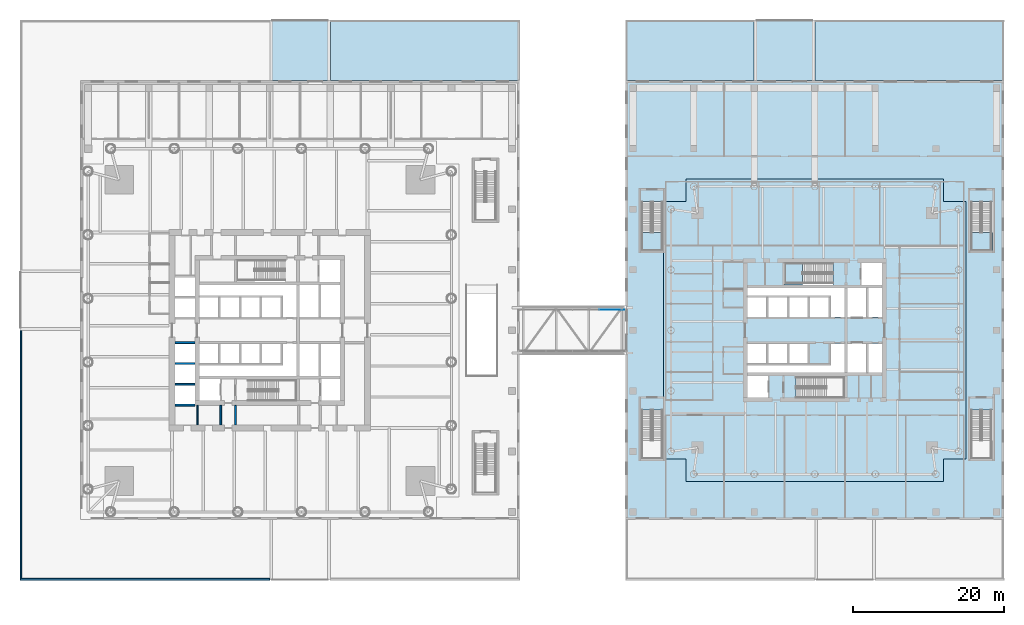
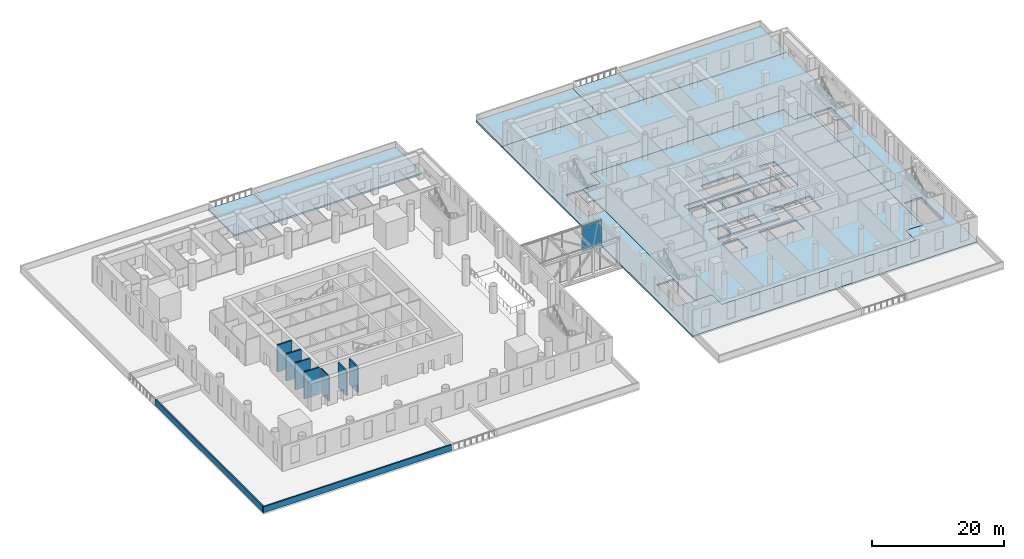
# One storey, part 8 of 23: 10 slabs, 9 walls, 1 plate, 4 elements without a shape of their own.
"""IFC4 building model written with IfcOpenShell, lengths in metres."""

from ifc_helpers import new_model, si_unit, direction, frame, frame_2d, origin, origin_2d, place, context, subcontext, project, spatial, polyline, rectangle, outline, extrude, material, layer, layer_set, type_object, element, aggregate, save


model = new_model("IFC4")

# Units and contexts
model_context = context("Model", 3, precision=1e-05, world=origin(), true_north=direction((0.0, 1.0)))
body_context = subcontext(model_context, "Body", "Model", "MODEL_VIEW")
ifc_project = project(units=[si_unit("LENGTHUNIT", "METRE"), si_unit("AREAUNIT", "SQUARE_METRE"), si_unit("VOLUMEUNIT", "CUBIC_METRE"), si_unit("PLANEANGLEUNIT", "RADIAN"), si_unit("MASSUNIT", "GRAM", prefix="KILO")], contexts=[model_context])

# Site, building, storey
site_placement = place(None, origin())
site = spatial("IfcSite", under=ifc_project, at=site_placement, CompositionType="ELEMENT")
building_placement = place(site_placement, origin())
building = spatial("IfcBuilding", under=site, at=building_placement, Name="Ostroluk Exchange", CompositionType="ELEMENT")
storey_placement = place(building_placement, frame((0.0, 0.0, 11.0)))
storey = spatial("IfcBuildingStorey", under=building, at=storey_placement, Name="L02", CompositionType="ELEMENT", Elevation=11.0)

# Slabs
ifc_material_1 = material(Name="Concrete C35/45", Category="concrete")
ifc_layer_1 = layer(ifc_material_1, 0.300048828125)
ifc_layer_set_1 = layer_set([ifc_layer_1], Name="Extensive green roof slab 300")
slab_type_1 = type_object("IfcSlabType", Name="Extensive green roof slab 300", PredefinedType="ROOF", material=ifc_layer_set_1)
slab_1_placement = place(storey_placement, frame((0.0, 0.0, -0.300048828125)))
element("IfcSlab", 1, at=slab_1_placement, inside=storey, type_object=slab_type_1, Name="Green roof slab L02 west", PredefinedType="ROOF", context=body_context, shape_type="SweptSolid", body=[
    extrude(outline(polyline([(78.0, 87.0), (78.0, 79.0), (53.0, 79.0), (53.0, 87.0), (78.0, 87.0)])), origin(), (0.0, 0.0, 1.0), 0.300048828125),
])
slab_2_placement = place(storey_placement, frame((0.0, 0.0, -0.300048828125)))
element("IfcSlab", 2, at=slab_2_placement, inside=storey, type_object=slab_type_1, Name="Green roof slab L02 east", PredefinedType="ROOF", context=body_context, shape_type="SweptSolid", body=[
    extrude(outline(polyline([(109.0, 87.0), (109.0, 79.0), (92.0, 79.0), (92.0, 87.0), (109.0, 87.0)])), origin(), (0.0, 0.0, 1.0), 0.300048828125),
])
slab_3_placement = place(storey_placement, frame((0.0, 0.0, -0.300048828125)))
element("IfcSlab", 3, at=slab_3_placement, inside=storey, type_object=slab_type_1, Name="Green roof slab L02 east", PredefinedType="ROOF", context=body_context, shape_type="SweptSolid", body=[
    extrude(outline(polyline([(142.0, 87.0), (142.0, 79.0), (117.0, 79.0), (117.0, 87.0), (142.0, 87.0)])), origin(), (0.0, 0.0, 1.0), 0.300048828125),
])

# Curtain wall, plate
ifc_material_2 = material(Name="Laminated clear glass", Category="glass")
curtain_wall_type = type_object("IfcCurtainWallType", Name="Bridge glazing", PredefinedType="USERDEFINED", material=ifc_material_2)
curtain_wall_placement = place(storey_placement, origin())
curtain_wall = element("IfcCurtainWall", 4, at=curtain_wall_placement, inside=storey, type_object=curtain_wall_type, Name="Podium bridge north glazing", ObjectType="STICK CURTAIN WALL", PredefinedType="USERDEFINED")
ifc_material_3 = material(Name="Laminated clear glass", Category="glass")
ifc_layer_2 = layer(ifc_material_3, 0.028076171875)
ifc_layer_set_2 = layer_set([ifc_layer_2], Name="Laminated clear glass 28")
plate_type = type_object("IfcPlateType", Name="Laminated clear glass 28", PredefinedType="CURTAIN_PANEL", material=ifc_layer_set_2)
plate_placement = place(storey_placement, frame((90.235107421875, 48.735107421875, 0.06005859375), z_axis=(0.0, 0.0, 1.0), x_axis=(-1.0, 0.0, 0.0)))
plate = element("IfcPlate", 5, at=plate_placement, type_object=plate_type, Name="CW-BR1 panel 1.1", PredefinedType="CURTAIN_PANEL", context=body_context, shape_type="SweptSolid", body=[
    extrude(rectangle(XDim=3.409912109375, YDim=0.028076171875, at=origin_2d()), origin(), (0.0, 0.0, 1.0), 4.679931640625),
])
aggregate(curtain_wall, [plate])

# Slabs
ifc_material_4 = material(Name="Concrete C35/45", Category="concrete")
ifc_layer_3 = layer(ifc_material_4, 0.300048828125)
ifc_layer_set_3 = layer_set([ifc_layer_3], Name="Podium flat slab 300")
slab_type_2 = type_object("IfcSlabType", Name="Podium flat slab 300", PredefinedType="FLOOR", material=ifc_layer_set_3)
slab_4_placement = place(storey_placement, frame((0.0, 0.0, -0.300048828125)))
element("IfcSlab", 6, at=slab_4_placement, inside=storey, type_object=slab_type_2, Name="Podium slab L02 east", PredefinedType="FLOOR", context=body_context, shape_type="SweptSolid", body=[
    extrude(outline(polyline([(92.0, 79.0), (142.0, 79.0), (142.0, 21.0), (92.0, 21.0), (92.0, 79.0)]), holes=[polyline([(97.0, 63.0), (97.0, 62.989990234375), (94.0, 62.989990234375), (94.0, 56.5), (97.0, 56.5), (97.0, 35.489990234375), (94.0, 35.489990234375), (94.0, 29.0), (100.0, 29.0), (100.0, 26.0), (134.0, 26.0), (134.0, 29.0), (137.0, 29.0), (137.0, 63.0), (134.0, 63.0), (134.0, 66.0), (100.0, 66.0), (100.0, 63.0), (97.0, 63.0)]), polyline([(140.5, 29.0), (140.5, 35.489990234375), (137.5, 35.489990234375), (137.5, 29.0), (140.5, 29.0)]), polyline([(137.5, 56.5), (140.5, 56.5), (140.5, 62.989990234375), (137.5, 62.989990234375), (137.5, 56.5)])]), origin(), (0.0, 0.0, 1.0), 0.300048828125),
])
ifc_material_5 = material(Name="Concrete C35/45", Category="concrete")
ifc_layer_4 = layer(ifc_material_5, 0.300048828125)
ifc_layer_set_4 = layer_set([ifc_layer_4], Name="Podium terrace slab 300")
slab_type_3 = type_object("IfcSlabType", Name="Podium terrace slab 300", PredefinedType="ROOF", material=ifc_layer_set_4)
slab_5_placement = place(storey_placement, frame((0.0, 0.0, -0.300048828125)))
element("IfcSlab", 7, at=slab_5_placement, inside=storey, type_object=slab_type_3, Name="Terrace slab L02 west", PredefinedType="ROOF", context=body_context, shape_type="SweptSolid", body=[
    extrude(outline(polyline([(53.0, 87.0), (53.0, 79.0), (45.0, 79.0), (45.0, 87.0), (53.0, 87.0)])), origin(), (0.0, 0.0, 1.0), 0.300048828125),
])
slab_6_placement = place(storey_placement, frame((0.0, 0.0, -0.300048828125)))
element("IfcSlab", 8, at=slab_6_placement, inside=storey, type_object=slab_type_3, Name="Terrace slab L02 east", PredefinedType="ROOF", context=body_context, shape_type="SweptSolid", body=[
    extrude(outline(polyline([(117.0, 87.0), (117.0, 79.0), (109.0, 79.0), (109.0, 87.0), (117.0, 87.0)])), origin(), (0.0, 0.0, 1.0), 0.300048828125),
])

# Stair, slab
ifc_material_6 = material(Name="Concrete C30/37", Category="concrete")
stair_type = type_object("IfcStairType", Name="Exit stair half turn 5000", PredefinedType="HALF_TURN_STAIR", material=ifc_material_6)
stair_1_placement = place(storey_placement, origin())
stair_1 = element("IfcStair", 9, at=stair_1_placement, inside=storey, type_object=stair_type, Name="Stair T2-S2 L02", PredefinedType="HALF_TURN_STAIR")
ifc_material_7 = material(Name="Concrete C30/37", Category="concrete")
ifc_layer_5 = layer(ifc_material_7, 0.199951171875)
ifc_layer_set_5 = layer_set([ifc_layer_5], Name="Stair landing 200")
slab_type_4 = type_object("IfcSlabType", Name="Stair landing 200", PredefinedType="LANDING", material=ifc_layer_set_5)
slab_7_placement = place(storey_placement, frame((0.0, 0.0, 2.300048828125)))
slab_7 = element("IfcSlab", 10, at=slab_7_placement, type_object=slab_type_4, Name="T2-S2 landing 1", PredefinedType="LANDING", context=body_context, shape_type="SweptSolid", body=[
    extrude(outline(polyline([(115.3701171875, 52.0), (115.3701171875, 54.89990234375), (113.0, 54.89990234375), (113.0, 52.0), (115.3701171875, 52.0)])), origin(), (0.0, 0.0, 1.0), 0.199951171875),
])
aggregate(stair_1, [slab_7])

stair_2_placement = place(storey_placement, origin())
stair_2 = element("IfcStair", 11, at=stair_2_placement, inside=storey, type_object=stair_type, Name="Stair PS6 L02", PredefinedType="HALF_TURN_STAIR")
slab_8_placement = place(storey_placement, frame((0.0, 0.0, 2.300048828125)))
slab_8 = element("IfcSlab", 12, at=slab_8_placement, type_object=slab_type_4, Name="PS6 landing 1", PredefinedType="LANDING", context=body_context, shape_type="SweptSolid", body=[
    extrude(outline(polyline([(94.0, 58.93994140625), (97.0, 58.93994140625), (97.0, 56.5), (94.0, 56.5), (94.0, 58.93994140625)])), origin(), (0.0, 0.0, 1.0), 0.199951171875),
])
aggregate(stair_2, [slab_8])

stair_3_placement = place(storey_placement, origin())
stair_3 = element("IfcStair", 13, at=stair_3_placement, inside=storey, type_object=stair_type, Name="Stair PS8 L02", PredefinedType="HALF_TURN_STAIR")
slab_9_placement = place(storey_placement, frame((0.0, 0.0, 2.300048828125)))
slab_9 = element("IfcSlab", 14, at=slab_9_placement, type_object=slab_type_4, Name="PS8 landing 1", PredefinedType="LANDING", context=body_context, shape_type="SweptSolid", body=[
    extrude(outline(polyline([(137.5, 58.93994140625), (140.5, 58.93994140625), (140.5, 56.5), (137.5, 56.5), (137.5, 58.93994140625)])), origin(), (0.0, 0.0, 1.0), 0.199951171875),
])
aggregate(stair_3, [slab_9])

# Slab
ifc_material_8 = material(Name="Concrete C35/45", Category="concrete")
ifc_layer_6 = layer(ifc_material_8, 0.300048828125)
ifc_layer_set_6 = layer_set([ifc_layer_6], Name="Tower floor slab 300")
slab_type_5 = type_object("IfcSlabType", Name="Tower floor slab 300", PredefinedType="FLOOR", material=ifc_layer_set_6)
slab_10_placement = place(storey_placement, frame((0.0, 0.0, -0.300048828125)))
element("IfcSlab", 15, at=slab_10_placement, inside=storey, type_object=slab_type_5, Name="Hotel tower floor slab L02", PredefinedType="FLOOR", context=body_context, shape_type="SweptSolid", body=[
    extrude(outline(polyline([(100.0, 26.0), (134.0, 26.0), (134.0, 29.0), (137.0, 29.0), (137.0, 63.0), (134.0, 63.0), (134.0, 66.0), (100.0, 66.0), (100.0, 63.0), (97.0, 63.0), (97.0, 29.0), (100.0, 29.0), (100.0, 26.0)]), holes=[polyline([(108.10009765625, 37.10009765625), (110.800048828125, 37.10009765625), (110.800048828125, 40.0), (108.10009765625, 40.0), (108.10009765625, 37.10009765625)]), polyline([(114.510009765625, 37.10009765625), (120.929931640625, 37.10009765625), (120.929931640625, 40.0), (114.510009765625, 40.0), (114.510009765625, 37.10009765625)]), polyline([(113.0, 52.0), (119.419921875, 52.0), (119.419921875, 54.89990234375), (113.0, 54.89990234375), (113.0, 52.0)]), polyline([(123.199951171875, 52.0), (125.89990234375, 52.0), (125.89990234375, 54.89990234375), (123.199951171875, 54.89990234375), (123.199951171875, 52.0)]), polyline([(108.10009765625, 47.75), (110.60009765625, 47.75), (110.60009765625, 50.35009765625), (108.10009765625, 50.35009765625), (108.10009765625, 47.75)]), polyline([(110.85009765625, 47.75), (113.35009765625, 47.75), (113.35009765625, 50.35009765625), (110.85009765625, 50.35009765625), (110.85009765625, 47.75)]), polyline([(113.60009765625, 47.75), (116.10009765625, 47.75), (116.10009765625, 50.35009765625), (113.60009765625, 50.35009765625), (113.60009765625, 47.75)]), polyline([(116.35009765625, 47.75), (118.85009765625, 47.75), (118.85009765625, 50.35009765625), (116.35009765625, 50.35009765625), (116.35009765625, 47.75)]), polyline([(108.10009765625, 41.64990234375), (110.60009765625, 41.64990234375), (110.60009765625, 44.25), (108.10009765625, 44.25), (108.10009765625, 41.64990234375)]), polyline([(110.85009765625, 41.64990234375), (113.35009765625, 41.64990234375), (113.35009765625, 44.25), (110.85009765625, 44.25), (110.85009765625, 41.64990234375)]), polyline([(113.60009765625, 41.64990234375), (116.10009765625, 41.64990234375), (116.10009765625, 44.25), (113.60009765625, 44.25), (113.60009765625, 41.64990234375)]), polyline([(121.330078125, 47.75), (123.830078125, 47.75), (123.830078125, 51.60009765625), (121.330078125, 51.60009765625), (121.330078125, 47.75)]), polyline([(121.330078125, 40.39990234375), (123.830078125, 40.39990234375), (123.830078125, 44.25), (121.330078125, 44.25), (121.330078125, 40.39990234375)]), polyline([(120.929931640625, 51.60009765625), (120.929931640625, 47.75), (119.10009765625, 47.75), (119.10009765625, 50.60009765625), (108.10009765625, 50.60009765625), (108.10009765625, 51.60009765625), (120.929931640625, 51.60009765625)]), polyline([(108.10009765625, 40.39990234375), (108.10009765625, 41.39990234375), (119.10009765625, 41.39990234375), (119.10009765625, 44.25), (120.929931640625, 44.25), (120.929931640625, 40.39990234375), (108.10009765625, 40.39990234375)]), polyline([(124.080078125, 47.75), (125.89990234375, 47.75), (125.89990234375, 51.60009765625), (124.080078125, 51.60009765625), (124.080078125, 47.75)]), polyline([(124.080078125, 40.39990234375), (125.89990234375, 40.39990234375), (125.89990234375, 44.25), (124.080078125, 44.25), (124.080078125, 40.39990234375)])]), origin(), (0.0, 0.0, 1.0), 0.300048828125),
])

# Walls
ifc_material_9 = material(Name="Concrete blockwork", Category="masonry")
ifc_layer_7 = layer(ifc_material_9, 0.14990234375)
ifc_layer_set_7 = layer_set([ifc_layer_7], Name="Blockwork plant room wall 150")
wall_type_1 = type_object("IfcWallType", Name="Blockwork plant room wall 150", PredefinedType="SOLIDWALL", material=ifc_layer_set_7)
wall_1_placement = place(storey_placement, frame((35.449951171875, 33.5, 0.0), z_axis=(0.0, 0.0, 1.0), x_axis=(0.0, 1.0, 0.0)))
element("IfcWall", 16, at=wall_1_placement, inside=storey, type_object=wall_type_1, Name="Core room wall", PredefinedType="SOLIDWALL", context=body_context, shape_type="SweptSolid", body=[
    extrude(rectangle(XDim=2.60009765625, YDim=0.14990234375, at=frame_2d((1.300048828125, 0.0))), origin(), (0.0, 0.0, 1.0), 4.699951171875),
])
ifc_material_10 = material(Name="Concrete blockwork", Category="masonry")
ifc_layer_8 = layer(ifc_material_10, 0.25)
ifc_layer_set_8 = layer_set([ifc_layer_8], Name="Blockwork stair enclosure wall 250")
wall_type_2 = type_object("IfcWallType", Name="Blockwork stair enclosure wall 250", PredefinedType="SOLIDWALL", material=ifc_layer_set_8)
for number, where, z_axis, x_axis, name in (
    (17, (38.52490234375, 33.5, 0.0), (0.0, 0.0, 1.0), (0.0, 1.0, 0.0), "Fire lobby enclosure wall"),
    (18, (40.47509765625, 33.5, 0.0), (0.0, 0.0, 1.0), (0.0, 1.0, 0.0), "Fire lobby enclosure wall"),
):
    element("IfcWall", number, at=place(storey_placement, frame(where, z_axis=z_axis, x_axis=x_axis)), inside=storey, type_object=wall_type_2, Name=name, PredefinedType="SOLIDWALL", context=body_context, shape_type="SweptSolid", body=[
        extrude(rectangle(XDim=2.60009765625, YDim=0.25, at=frame_2d((1.300048828125, 0.0))), origin(), (0.0, 0.0, 1.0), 4.699951171875),
    ])
ifc_material_11 = material(Name="Concrete C40/50", Category="concrete")
ifc_layer_9 = layer(ifc_material_11, 0.25)
ifc_layer_set_9 = layer_set([ifc_layer_9], Name="Core shaft wall 250")
wall_type_3 = type_object("IfcWallType", Name="Core shaft wall 250", PredefinedType="SHEAR", material=ifc_layer_set_9)
for number, where, z_axis, x_axis, name in (
    (19, (32.5, 36.125, 0.0), (0.0, 0.0, 1.0), (1.0, 0.0, 0.0), "Lift shaft wall"),
    (20, (32.5, 38.875, 0.0), (0.0, 0.0, 1.0), (1.0, 0.0, 0.0), "Lift shaft wall"),
    (21, (32.5, 41.625, 0.0), (0.0, 0.0, 1.0), (1.0, 0.0, 0.0), "Lift shaft wall"),
    (22, (32.5, 44.375, 0.0), (0.0, 0.0, 1.0), (1.0, 0.0, 0.0), "Lift shaft wall"),
):
    element("IfcWall", number, at=place(storey_placement, frame(where, z_axis=z_axis, x_axis=x_axis)), inside=storey, type_object=wall_type_3, Name=name, PredefinedType="SHEAR", context=body_context, shape_type="SweptSolid", body=[
        extrude(rectangle(XDim=2.60009765625, YDim=0.25, at=frame_2d((1.300048828125, 0.0))), origin(), (0.0, 0.0, 1.0), 5.0),
    ])
ifc_material_12 = material(Name="Limestone", Category="masonry")
ifc_layer_10 = layer(ifc_material_12, 0.25)
ifc_layer_set_10 = layer_set([ifc_layer_10], Name="Green roof parapet 250")
wall_type_4 = type_object("IfcWallType", Name="Green roof parapet 250", PredefinedType="PARAPET", material=ifc_layer_set_10)
wall_2_placement = place(storey_placement, frame((12.0, 13.125, 0.0), z_axis=(0.0, 0.0, 1.0), x_axis=(1.0, 0.0, 0.0)))
element("IfcWall", 23, at=wall_2_placement, inside=storey, type_object=wall_type_4, Name="Green roof parapet L02 1", PredefinedType="PARAPET", context=body_context, shape_type="SweptSolid", body=[
    extrude(rectangle(XDim=32.989990234375, YDim=0.25, at=frame_2d((16.4951171875, 0.0))), origin(), (0.0, 0.0, 1.0), 1.10009765625),
])
wall_3_placement = place(storey_placement, frame((12.125, 13.25, 0.0), z_axis=(0.0, 0.0, 1.0), x_axis=(0.0, 1.0, 0.0)))
element("IfcWall", 24, at=wall_3_placement, inside=storey, type_object=wall_type_4, Name="Green roof parapet L02 2", PredefinedType="PARAPET", context=body_context, shape_type="SweptSolid", body=[
    extrude(rectangle(XDim=32.739990234375, YDim=0.25, at=frame_2d((16.3701171875, 0.0))), origin(), (0.0, 0.0, 1.0), 1.10009765625),
])

save(model, "model.ifc")
